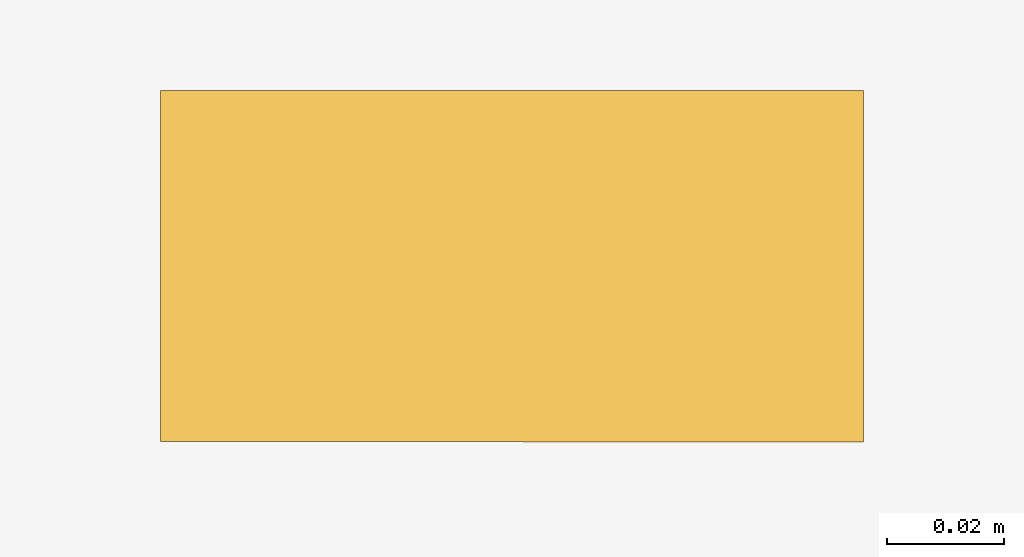
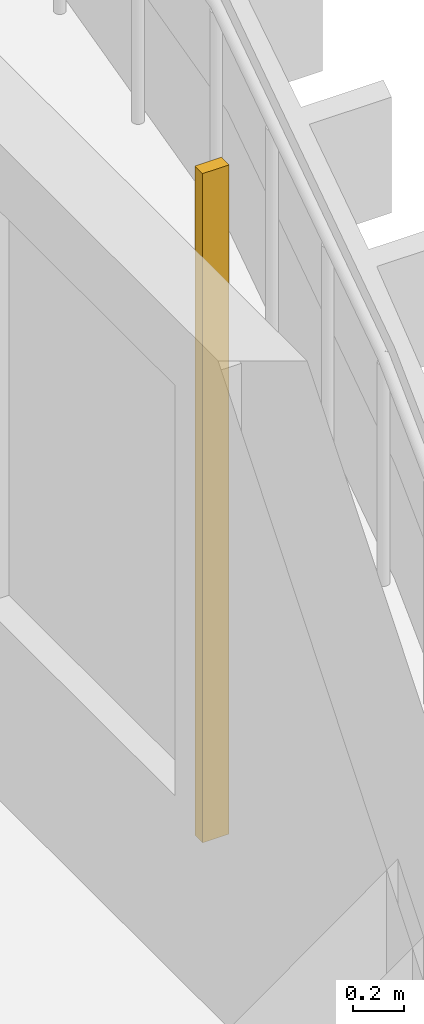
# One storey, part 20 of 24: 1 shading device.
"""IFC4 building model written with IfcOpenShell, lengths in metres."""

from ifc_helpers import new_model, si_unit, direction, frame, origin, origin_2d, place, context, subcontext, project, spatial, rectangle, extrude, source, transform, mapped, material, material_profile, profile_set, type_object, element, save


model = new_model("IFC4")

# Units and contexts
model_context = context("Model", 3, precision=1e-05, world=origin(), true_north=direction((0.0, 1.0)))
body_context = subcontext(model_context, "Body", "Model", "MODEL_VIEW")
ifc_project = project(units=[si_unit("LENGTHUNIT", "METRE"), si_unit("AREAUNIT", "SQUARE_METRE"), si_unit("VOLUMEUNIT", "CUBIC_METRE"), si_unit("PLANEANGLEUNIT", "RADIAN"), si_unit("MASSUNIT", "GRAM", prefix="KILO")], contexts=[model_context])

# Site, building, storey
site_placement = place(None, origin())
site = spatial("IfcSite", under=ifc_project, at=site_placement, CompositionType="ELEMENT")
building_placement = place(site_placement, origin())
building = spatial("IfcBuilding", under=site, at=building_placement, Name="Kilnfold Tower and Market Hall", CompositionType="ELEMENT")
storey_placement = place(building_placement, frame((0.0, 0.0, 175.300048828125)))
storey = spatial("IfcBuildingStorey", under=building, at=storey_placement, Name="L41", CompositionType="ELEMENT", Elevation=175.300048828125)

# Shading device
ifc_material = material(Name="Terracotta", Category="masonry")
ifc_material_profile = material_profile(ifc_material, rectangle(XDim=0.06005859375, YDim=0.1201171875, at=origin_2d()), Name="BAG 60x120")
ifc_profile_set = profile_set([ifc_material_profile], Name="Terracotta")
shading_device_type = type_object("IfcShadingDeviceType", Name="BAGUETTE", PredefinedType="USERDEFINED", material=ifc_profile_set)
shared_shape = source(origin(), body_context, "Body", "SweptSolid", [
    extrude(rectangle(XDim=0.06005859375, YDim=0.1201171875, at=origin_2d()), origin(), (0.0, 0.0, 1.0), 3.179931640625),
])
shading_device_placement = place(storey_placement, frame((25.550048828125, -2.34375, 0.0), z_axis=(0.0, 0.0, 1.0), x_axis=(0.000122173047, 0.999999992537, 0.0)))
element("IfcShadingDevice", 1, at=shading_device_placement, inside=storey, type_object=shading_device_type, Name="Terracotta baguette L41 E", ObjectType="BAGUETTE", PredefinedType="USERDEFINED", context=body_context, shape_type="MappedRepresentation", body=[
    mapped(shared_shape, transform((0.0, 0.0, 0.0))),
])

save(model, "model.ifc")
